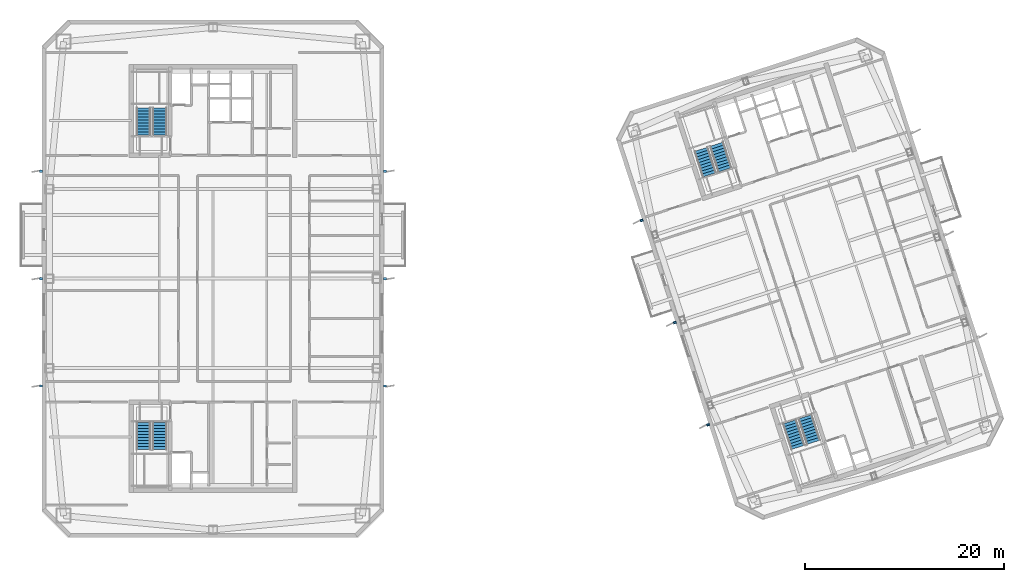
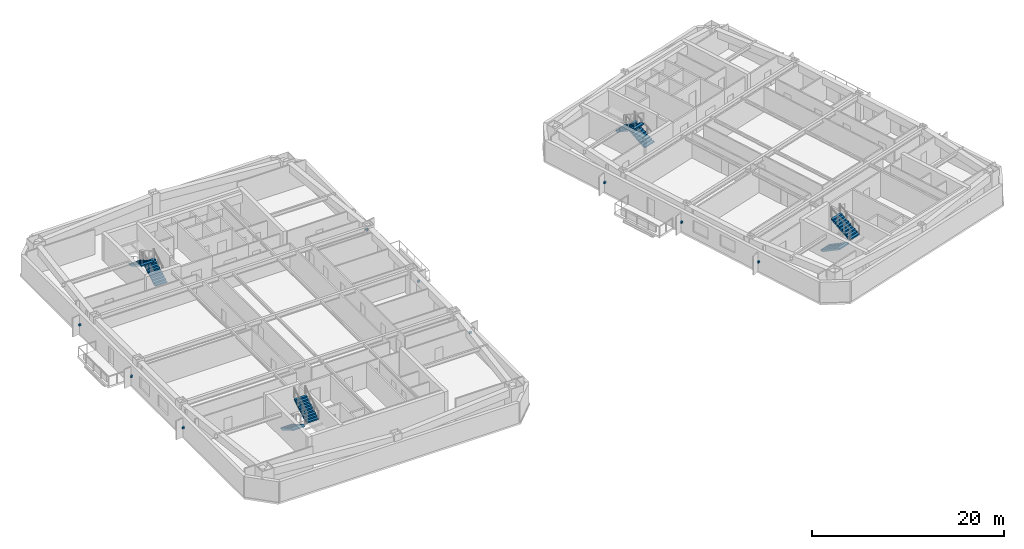
# One storey, part 11 of 17: 9 discrete accessories, 8 stair flights, 4 elements without a shape of their own.
"""IFC4 building model written with IfcOpenShell, lengths in metres."""

from ifc_helpers import new_model, si_unit, direction, frame, origin, origin_2d, place, context, subcontext, project, spatial, polyline, rectangle, outline, extrude, material, type_object, element, aggregate, save


model = new_model("IFC4")

# Units and contexts
model_context = context("Model", 3, precision=1e-05, world=origin(), true_north=direction((0.0, 1.0)))
body_context = subcontext(model_context, "Body", "Model", "MODEL_VIEW")
ifc_project = project(units=[si_unit("LENGTHUNIT", "METRE"), si_unit("AREAUNIT", "SQUARE_METRE"), si_unit("VOLUMEUNIT", "CUBIC_METRE"), si_unit("PLANEANGLEUNIT", "RADIAN"), si_unit("MASSUNIT", "GRAM", prefix="KILO")], contexts=[model_context])

# Site, building, storey
site_placement = place(None, origin())
site = spatial("IfcSite", under=ifc_project, at=site_placement, CompositionType="ELEMENT")
building_placement = place(site_placement, origin())
building = spatial("IfcBuilding", under=site, at=building_placement, Name="Qiaolan Cultural Towers", CompositionType="ELEMENT")
storey_placement = place(building_placement, frame((0.0, 0.0, 205.85009765625)))
storey = spatial("IfcBuildingStorey", under=building, at=storey_placement, Name="L55", CompositionType="ELEMENT", Elevation=205.85009765625)

# Stair, stair flights
ifc_material_1 = material(Name="Concrete C45", Category="concrete")
stair_type = type_object("IfcStairType", Name="STR-CORE-1500", PredefinedType="HALF_TURN_STAIR", material=ifc_material_1)
stair_1_placement = place(storey_placement, origin())
stair_1 = element("IfcStair", 1, at=stair_1_placement, inside=storey, type_object=stair_type, Name="L55 Smokeproof Exit Stair ST-W1", PredefinedType="HALF_TURN_STAIR")
ifc_material_2 = material(Name="Concrete C45", Category="concrete")
stair_flight_type = type_object("IfcStairFlightType", Name="STR-CORE-1500-FL", PredefinedType="STRAIGHT", material=ifc_material_2)
stair_flight_1_placement = place(storey_placement, frame((23.02001953125, 19.550048828125, 0.0), z_axis=(0.0, 0.0, 1.0), x_axis=(0.0, -1.0, 0.0)))
stair_flight_1 = element("IfcStairFlight", 2, at=stair_flight_1_placement, type_object=stair_flight_type, Name="ST-W1 flight 1", NumberOfRisers=10, NumberOfTreads=9, PredefinedType="STRAIGHT", RiserHeight=0.1725, TreadLength=0.3, context=body_context, shape_type="SweptSolid", body=[
    extrude(outline(polyline([(0.0, 0.0), (0.0, 0.172607421875), (0.300048828125, 0.172607421875), (0.300048828125, 0.344970703125), (0.60009765625, 0.344970703125), (0.60009765625, 0.517578125), (0.89990234375, 0.517578125), (0.89990234375, 0.68994140625), (1.199951171875, 0.68994140625), (1.199951171875, 0.862548828125), (1.5, 0.862548828125), (1.5, 1.034912109375), (1.800048828125, 1.034912109375), (1.800048828125, 1.20751953125), (2.10009765625, 1.20751953125), (2.10009765625, 1.3798828125), (2.39990234375, 1.3798828125), (2.39990234375, 1.552490234375), (2.699951171875, 1.552490234375), (2.699951171875, 1.72509765625), (2.699951171875, 1.379638671875), (0.30078125, 0.0), (0.0, 0.0)])), frame((0.0, 0.719970703125, 0.0), z_axis=(0.0, -1.0, 0.0), x_axis=(1.0, 0.0, 0.0)), (0.0, 0.0, 1.0), 1.43994140625),
])
stair_flight_2_placement = place(storey_placement, frame((24.659912109375, 16.85009765625, 1.724853515625), z_axis=(0.0, 0.0, 1.0), x_axis=(0.0, 1.0, 0.0)))
stair_flight_2 = element("IfcStairFlight", 3, at=stair_flight_2_placement, type_object=stair_flight_type, Name="ST-W1 flight 2", NumberOfRisers=10, NumberOfTreads=9, PredefinedType="STRAIGHT", RiserHeight=0.1725, TreadLength=0.3, context=body_context, shape_type="SweptSolid", body=[
    extrude(outline(polyline([(0.0, 0.0), (0.0, 0.172607421875), (0.300048828125, 0.172607421875), (0.300048828125, 0.344970703125), (0.60009765625, 0.344970703125), (0.60009765625, 0.517578125), (0.89990234375, 0.517578125), (0.89990234375, 0.68994140625), (1.199951171875, 0.68994140625), (1.199951171875, 0.862548828125), (1.5, 0.862548828125), (1.5, 1.034912109375), (1.800048828125, 1.034912109375), (1.800048828125, 1.20751953125), (2.10009765625, 1.20751953125), (2.10009765625, 1.3798828125), (2.39990234375, 1.3798828125), (2.39990234375, 1.552490234375), (2.699951171875, 1.552490234375), (2.699951171875, 1.72509765625), (2.699951171875, 1.379638671875), (0.30078125, 0.0), (0.0, 0.0)])), frame((0.0, 0.719970703125, 0.0), z_axis=(0.0, -1.0, 0.0), x_axis=(1.0, 0.0, 0.0)), (0.0, 0.0, 1.0), 1.43994140625),
])
aggregate(stair_1, [stair_flight_1, stair_flight_2])

stair_2_placement = place(storey_placement, origin())
stair_2 = element("IfcStair", 4, at=stair_2_placement, inside=storey, type_object=stair_type, Name="L55 Smokeproof Exit Stair ST-W2", PredefinedType="HALF_TURN_STAIR")
stair_flight_3_placement = place(storey_placement, frame((24.659912109375, 48.449951171875, 0.0), z_axis=(0.0, 0.0, 1.0), x_axis=(0.0, 1.0, 0.0)))
stair_flight_3 = element("IfcStairFlight", 5, at=stair_flight_3_placement, type_object=stair_flight_type, Name="ST-W2 flight 1", NumberOfRisers=10, NumberOfTreads=9, PredefinedType="STRAIGHT", RiserHeight=0.1725, TreadLength=0.3, context=body_context, shape_type="SweptSolid", body=[
    extrude(outline(polyline([(0.0, 0.0), (0.0, 0.172607421875), (0.300048828125, 0.172607421875), (0.300048828125, 0.344970703125), (0.60009765625, 0.344970703125), (0.60009765625, 0.517578125), (0.89990234375, 0.517578125), (0.89990234375, 0.68994140625), (1.199951171875, 0.68994140625), (1.199951171875, 0.862548828125), (1.5, 0.862548828125), (1.5, 1.034912109375), (1.800048828125, 1.034912109375), (1.800048828125, 1.20751953125), (2.10009765625, 1.20751953125), (2.10009765625, 1.3798828125), (2.39990234375, 1.3798828125), (2.39990234375, 1.552490234375), (2.699951171875, 1.552490234375), (2.699951171875, 1.72509765625), (2.699951171875, 1.379638671875), (0.30078125, 0.0), (0.0, 0.0)])), frame((0.0, 0.719970703125, 0.0), z_axis=(0.0, -1.0, 0.0), x_axis=(1.0, 0.0, 0.0)), (0.0, 0.0, 1.0), 1.43994140625),
])
stair_flight_4_placement = place(storey_placement, frame((23.02001953125, 51.14990234375, 1.724853515625), z_axis=(0.0, 0.0, 1.0), x_axis=(0.0, -1.0, 0.0)))
stair_flight_4 = element("IfcStairFlight", 6, at=stair_flight_4_placement, type_object=stair_flight_type, Name="ST-W2 flight 2", NumberOfRisers=10, NumberOfTreads=9, PredefinedType="STRAIGHT", RiserHeight=0.1725, TreadLength=0.3, context=body_context, shape_type="SweptSolid", body=[
    extrude(outline(polyline([(0.0, 0.0), (0.0, 0.172607421875), (0.300048828125, 0.172607421875), (0.300048828125, 0.344970703125), (0.60009765625, 0.344970703125), (0.60009765625, 0.517578125), (0.89990234375, 0.517578125), (0.89990234375, 0.68994140625), (1.199951171875, 0.68994140625), (1.199951171875, 0.862548828125), (1.5, 0.862548828125), (1.5, 1.034912109375), (1.800048828125, 1.034912109375), (1.800048828125, 1.20751953125), (2.10009765625, 1.20751953125), (2.10009765625, 1.3798828125), (2.39990234375, 1.3798828125), (2.39990234375, 1.552490234375), (2.699951171875, 1.552490234375), (2.699951171875, 1.72509765625), (2.699951171875, 1.379638671875), (0.30078125, 0.0), (0.0, 0.0)])), frame((0.0, 0.719970703125, 0.0), z_axis=(0.0, -1.0, 0.0), x_axis=(1.0, 0.0, 0.0)), (0.0, 0.0, 1.0), 1.43994140625),
])
aggregate(stair_2, [stair_flight_3, stair_flight_4])

stair_3_placement = place(storey_placement, origin())
stair_3 = element("IfcStair", 7, at=stair_3_placement, inside=storey, type_object=stair_type, Name="L55 Smokeproof Exit Stair ST-E1", PredefinedType="HALF_TURN_STAIR")
stair_flight_5_placement = place(storey_placement, frame((87.96484375, 19.6171875, 0.0), z_axis=(0.0, 0.0, 1.0), x_axis=(0.309016994375, -0.951056516295, 0.0)))
stair_flight_5 = element("IfcStairFlight", 8, at=stair_flight_5_placement, type_object=stair_flight_type, Name="ST-E1 flight 1", NumberOfRisers=10, NumberOfTreads=9, PredefinedType="STRAIGHT", RiserHeight=0.1725, TreadLength=0.3, context=body_context, shape_type="SweptSolid", body=[
    extrude(outline(polyline([(0.0, 0.0), (0.0, 0.172607421875), (0.300048828125, 0.172607421875), (0.300048828125, 0.344970703125), (0.60009765625, 0.344970703125), (0.60009765625, 0.517578125), (0.89990234375, 0.517578125), (0.89990234375, 0.68994140625), (1.199951171875, 0.68994140625), (1.199951171875, 0.862548828125), (1.5, 0.862548828125), (1.5, 1.034912109375), (1.800048828125, 1.034912109375), (1.800048828125, 1.20751953125), (2.10009765625, 1.20751953125), (2.10009765625, 1.3798828125), (2.39990234375, 1.3798828125), (2.39990234375, 1.552490234375), (2.699951171875, 1.552490234375), (2.699951171875, 1.72509765625), (2.699951171875, 1.379638671875), (0.30078125, 0.0), (0.0, 0.0)])), frame((0.0, 0.719970703125, 0.0), z_axis=(0.0, -1.0, 0.0), x_axis=(1.0, 0.0, 0.0)), (0.0, 0.0, 1.0), 1.43994140625),
])
stair_flight_6_placement = place(storey_placement, frame((90.359130859375, 17.55615234375, 1.724853515625), z_axis=(0.0, 0.0, 1.0), x_axis=(-0.309016994375, 0.951056516295, 0.0)))
stair_flight_6 = element("IfcStairFlight", 9, at=stair_flight_6_placement, type_object=stair_flight_type, Name="ST-E1 flight 2", NumberOfRisers=10, NumberOfTreads=9, PredefinedType="STRAIGHT", RiserHeight=0.1725, TreadLength=0.3, context=body_context, shape_type="SweptSolid", body=[
    extrude(outline(polyline([(0.0, 0.0), (0.0, 0.172607421875), (0.300048828125, 0.172607421875), (0.300048828125, 0.344970703125), (0.60009765625, 0.344970703125), (0.60009765625, 0.517578125), (0.89990234375, 0.517578125), (0.89990234375, 0.68994140625), (1.199951171875, 0.68994140625), (1.199951171875, 0.862548828125), (1.5, 0.862548828125), (1.5, 1.034912109375), (1.800048828125, 1.034912109375), (1.800048828125, 1.20751953125), (2.10009765625, 1.20751953125), (2.10009765625, 1.3798828125), (2.39990234375, 1.3798828125), (2.39990234375, 1.552490234375), (2.699951171875, 1.552490234375), (2.699951171875, 1.72509765625), (2.699951171875, 1.379638671875), (0.30078125, 0.0), (0.0, 0.0)])), frame((0.0, 0.719970703125, 0.0), z_axis=(0.0, -1.0, 0.0), x_axis=(1.0, 0.0, 0.0)), (0.0, 0.0, 1.0), 1.43994140625),
])
aggregate(stair_3, [stair_flight_5, stair_flight_6])

stair_4_placement = place(storey_placement, origin())
stair_4 = element("IfcStair", 10, at=stair_4_placement, inside=storey, type_object=stair_type, Name="L55 Smokeproof Exit Stair ST-E2", PredefinedType="HALF_TURN_STAIR")
stair_flight_7_placement = place(storey_placement, frame((81.459228515625, 44.946533203125, 0.0), z_axis=(0.0, 0.0, 1.0), x_axis=(-0.309016994375, 0.951056516295, 0.0)))
stair_flight_7 = element("IfcStairFlight", 11, at=stair_flight_7_placement, type_object=stair_flight_type, Name="ST-E2 flight 1", NumberOfRisers=10, NumberOfTreads=9, PredefinedType="STRAIGHT", RiserHeight=0.1725, TreadLength=0.3, context=body_context, shape_type="SweptSolid", body=[
    extrude(outline(polyline([(0.0, 0.0), (0.0, 0.172607421875), (0.300048828125, 0.172607421875), (0.300048828125, 0.344970703125), (0.60009765625, 0.344970703125), (0.60009765625, 0.517578125), (0.89990234375, 0.517578125), (0.89990234375, 0.68994140625), (1.199951171875, 0.68994140625), (1.199951171875, 0.862548828125), (1.5, 0.862548828125), (1.5, 1.034912109375), (1.800048828125, 1.034912109375), (1.800048828125, 1.20751953125), (2.10009765625, 1.20751953125), (2.10009765625, 1.3798828125), (2.39990234375, 1.3798828125), (2.39990234375, 1.552490234375), (2.699951171875, 1.552490234375), (2.699951171875, 1.72509765625), (2.699951171875, 1.379638671875), (0.30078125, 0.0), (0.0, 0.0)])), frame((0.0, 0.719970703125, 0.0), z_axis=(0.0, -1.0, 0.0), x_axis=(1.0, 0.0, 0.0)), (0.0, 0.0, 1.0), 1.43994140625),
])
stair_flight_8_placement = place(storey_placement, frame((79.065185546875, 47.007568359375, 1.724853515625), z_axis=(0.0, 0.0, 1.0), x_axis=(0.309016994375, -0.951056516295, 0.0)))
stair_flight_8 = element("IfcStairFlight", 12, at=stair_flight_8_placement, type_object=stair_flight_type, Name="ST-E2 flight 2", NumberOfRisers=10, NumberOfTreads=9, PredefinedType="STRAIGHT", RiserHeight=0.1725, TreadLength=0.3, context=body_context, shape_type="SweptSolid", body=[
    extrude(outline(polyline([(0.0, 0.0), (0.0, 0.172607421875), (0.300048828125, 0.172607421875), (0.300048828125, 0.344970703125), (0.60009765625, 0.344970703125), (0.60009765625, 0.517578125), (0.89990234375, 0.517578125), (0.89990234375, 0.68994140625), (1.199951171875, 0.68994140625), (1.199951171875, 0.862548828125), (1.5, 0.862548828125), (1.5, 1.034912109375), (1.800048828125, 1.034912109375), (1.800048828125, 1.20751953125), (2.10009765625, 1.20751953125), (2.10009765625, 1.3798828125), (2.39990234375, 1.3798828125), (2.39990234375, 1.552490234375), (2.699951171875, 1.552490234375), (2.699951171875, 1.72509765625), (2.699951171875, 1.379638671875), (0.30078125, 0.0), (0.0, 0.0)])), frame((0.0, 0.719970703125, 0.0), z_axis=(0.0, -1.0, 0.0), x_axis=(1.0, 0.0, 0.0)), (0.0, 0.0, 1.0), 1.43994140625),
])
aggregate(stair_4, [stair_flight_7, stair_flight_8])

# Discrete accessories
ifc_material_3 = material(Name="Stainless Steel S31608 Facade Anchor Bracket", Category="steel")
discrete_accessory_type = type_object("IfcDiscreteAccessoryType", Name="ACC-BRK-SS", PredefinedType="BRACKET", material=ifc_material_3)
for number, where, z_axis, x_axis, name in (
    (13, (12.719970703125, 23.199951171875, 1.18505859375), (0.0, 0.0, 1.0), (1.0, 0.0, 0.0), "L55 T1 Facade Fin Anchor Bracket W1"),
    (14, (12.719970703125, 34.0, 1.18505859375), (0.0, 0.0, 1.0), (1.0, 0.0, 0.0), "L55 T1 Facade Fin Anchor Bracket W2"),
    (15, (12.719970703125, 44.800048828125, 1.18505859375), (0.0, 0.0, 1.0), (1.0, 0.0, 0.0), "L55 T1 Facade Fin Anchor Bracket W3"),
    (16, (47.280029296875, 23.199951171875, 1.18505859375), (0.0, 0.0, 1.0), (1.0, 0.0, 0.0), "L55 T1 Facade Fin Anchor Bracket E1"),
    (17, (47.280029296875, 34.0, 1.18505859375), (0.0, 0.0, 1.0), (1.0, 0.0, 0.0), "L55 T1 Facade Fin Anchor Bracket E2"),
    (18, (47.280029296875, 44.800048828125, 1.18505859375), (0.0, 0.0, 1.0), (1.0, 0.0, 0.0), "L55 T1 Facade Fin Anchor Bracket E3"),
    (19, (79.75634765625, 19.31591796875, 1.18505859375), (0.0, 0.0, 1.0), (0.951056516295, 0.309016994375, 0.0), "L55 T2 Facade Fin Anchor Bracket W1"),
    (20, (76.4189453125, 29.587158203125, 1.18505859375), (0.0, 0.0, 1.0), (0.951056516295, 0.309016994375, 0.0), "L55 T2 Facade Fin Anchor Bracket W2"),
    (21, (73.08154296875, 39.858642578125, 1.18505859375), (0.0, 0.0, 1.0), (0.951056516295, 0.309016994375, 0.0), "L55 T2 Facade Fin Anchor Bracket W3"),
):
    element("IfcDiscreteAccessory", number, at=place(storey_placement, frame(where, z_axis=z_axis, x_axis=x_axis)), inside=storey, type_object=discrete_accessory_type, Name=name, PredefinedType="BRACKET", context=body_context, shape_type="SweptSolid", body=[
        extrude(rectangle(XDim=0.280029296875, YDim=0.219970703125, at=origin_2d()), origin(), (0.0, 0.0, 1.0), 0.239990234375),
    ])

save(model, "model.ifc")
